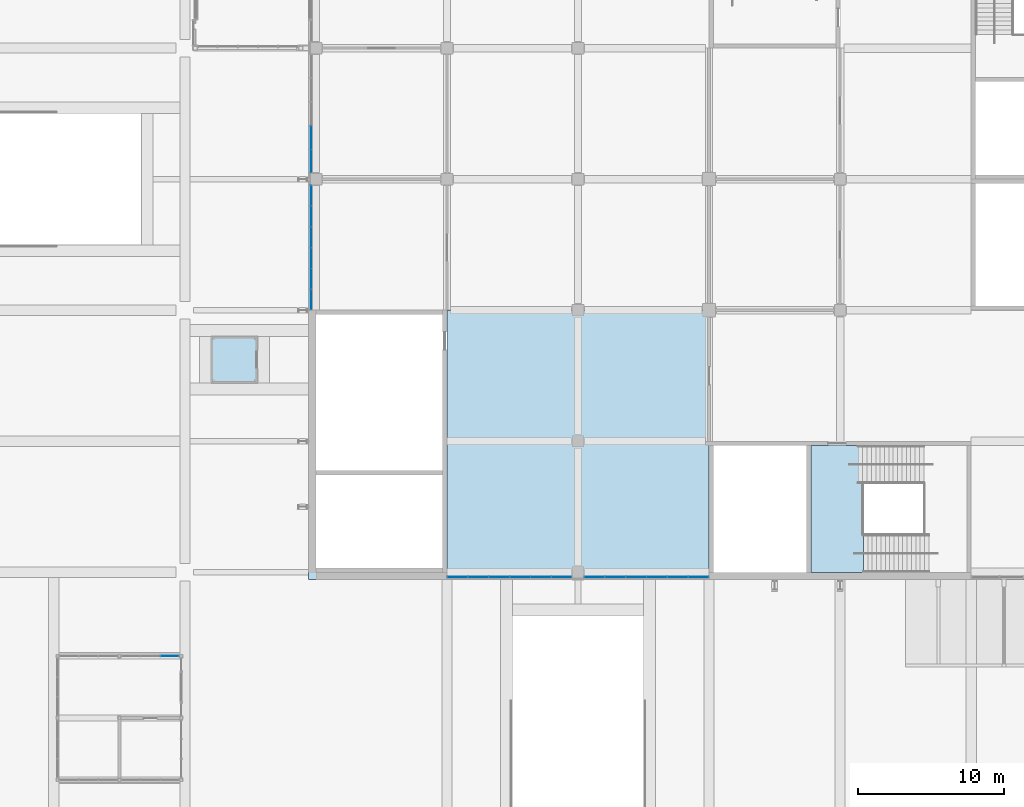
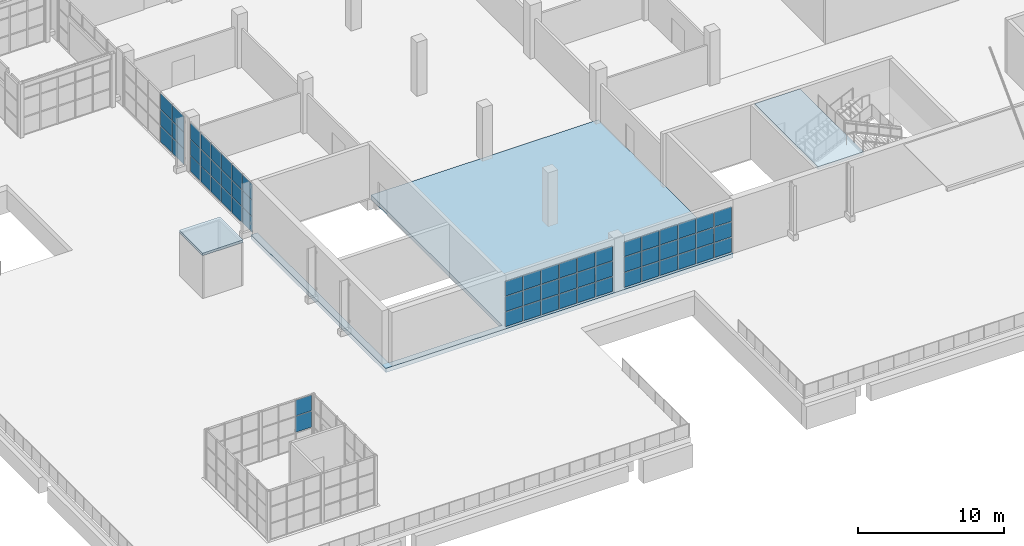
# One storey, part 75 of 168: 62 plates, 3 slabs, 6 elements without a shape of their own.
"""IFC4 building model written with IfcOpenShell, lengths in metres."""

from ifc_helpers import new_model, si_unit, direction, frame, origin, origin_2d, place, context, subcontext, project, spatial, polyline, rectangle, outline, extrude, material, layer, layer_set, type_object, element, aggregate, save


model = new_model("IFC4")

# Units and contexts
model_context = context("Model", 3, precision=1e-05, world=origin(), true_north=direction((0.0, 1.0)))
body_context = subcontext(model_context, "Body", "Model", "MODEL_VIEW")
ifc_project = project(units=[si_unit("LENGTHUNIT", "METRE"), si_unit("AREAUNIT", "SQUARE_METRE"), si_unit("VOLUMEUNIT", "CUBIC_METRE"), si_unit("PLANEANGLEUNIT", "RADIAN"), si_unit("MASSUNIT", "GRAM", prefix="KILO")], contexts=[model_context])

# Site, building, storey
site_placement = place(None, origin())
site = spatial("IfcSite", under=ifc_project, at=site_placement, CompositionType="ELEMENT")
building_placement = place(site_placement, origin())
building = spatial("IfcBuilding", under=site, at=building_placement, Name="Silverbay Arena", CompositionType="ELEMENT")
storey_placement = place(building_placement, frame((0.0, 0.0, 7.0)))
storey = spatial("IfcBuildingStorey", under=building, at=storey_placement, Name="L01", CompositionType="ELEMENT", Elevation=7.0)

# Curtain wall, plates
ifc_material_1 = material(Name="Aluminium framed curtain wall", Category="aluminium")
curtain_wall_type_1 = type_object("IfcCurtainWallType", Name="Curtain wall 4050 x 4150", PredefinedType="NOTDEFINED", material=ifc_material_1)
curtain_wall_1_placement = place(storey_placement, origin())
curtain_wall_1 = element("IfcCurtainWall", 1, at=curtain_wall_1_placement, inside=storey, type_object=curtain_wall_type_1, Name="Pavilion north curtain wall 2", PredefinedType="NOTDEFINED")
ifc_material_2 = material(Name="Laminated glass", Category="glass")
ifc_layer_1 = layer(ifc_material_2, 0.02392578125)
ifc_layer_set_1 = layer_set([ifc_layer_1], Name="Laminated glass")
plate_type_1 = type_object("IfcPlateType", Name="Glass panel 24", PredefinedType="CURTAIN_PANEL", material=ifc_layer_set_1)
plate_1_placement = place(storey_placement, frame((16.9599609375, 12.25, 1.408203125), z_axis=(0.0, 0.0, 1.0), x_axis=(1.0, 0.0, 0.0)))
plate_1 = element("IfcPlate", 2, at=plate_1_placement, type_object=plate_type_1, Name="CW21 panel 3.2", PredefinedType="CURTAIN_PANEL", context=body_context, shape_type="SweptSolid", body=[
    extrude(rectangle(XDim=1.260009765625, YDim=0.02392578125, at=origin_2d()), origin(), (0.0, 0.0, 1.0), 1.333251953125),
])
plate_2_placement = place(storey_placement, frame((16.9599609375, 12.25, 2.79150390625), z_axis=(0.0, 0.0, 1.0), x_axis=(1.0, 0.0, 0.0)))
plate_2 = element("IfcPlate", 3, at=plate_2_placement, type_object=plate_type_1, Name="CW21 panel 3.3", PredefinedType="CURTAIN_PANEL", context=body_context, shape_type="SweptSolid", body=[
    extrude(rectangle(XDim=1.260009765625, YDim=0.02392578125, at=origin_2d()), origin(), (0.0, 0.0, 1.0), 1.308349609375),
])
aggregate(curtain_wall_1, [plate_1, plate_2])

ifc_material_3 = material(Name="Aluminium framed curtain wall", Category="aluminium")
curtain_wall_type_2 = type_object("IfcCurtainWallType", Name="Curtain wall 8600 x 3900", PredefinedType="NOTDEFINED", material=ifc_material_3)
curtain_wall_2_placement = place(storey_placement, origin())
curtain_wall_2 = element("IfcCurtainWall", 4, at=curtain_wall_2_placement, inside=storey, type_object=curtain_wall_type_2, Name="South curtain wall L01 bay 2", PredefinedType="NOTDEFINED")
ifc_material_4 = material(Name="Laminated glass", Category="glass")
ifc_layer_2 = layer(ifc_material_4, 0.028076171875)
ifc_layer_set_2 = layer_set([ifc_layer_2], Name="Laminated glass")
plate_type_2 = type_object("IfcPlateType", Name="Glass panel 28", PredefinedType="CURTAIN_PANEL", material=ifc_layer_set_2)
plate_3_placement = place(storey_placement, frame((36.731689453125, 17.669921875, 0.050048828125), z_axis=(0.0, 0.0, 1.0), x_axis=(1.0, 0.0, 0.0)))
plate_3 = element("IfcPlate", 5, at=plate_3_placement, type_object=plate_type_2, Name="CW1 panel 1.1", PredefinedType="CURTAIN_PANEL", context=body_context, shape_type="SweptSolid", body=[
    extrude(rectangle(XDim=1.34326171875, YDim=0.028076171875, at=origin_2d()), origin(), (0.0, 0.0, 1.0), 1.22509765625),
])
plate_4_placement = place(storey_placement, frame((36.731689453125, 17.669921875, 1.324951171875), z_axis=(0.0, 0.0, 1.0), x_axis=(1.0, 0.0, 0.0)))
plate_4 = element("IfcPlate", 6, at=plate_4_placement, type_object=plate_type_2, Name="CW1 panel 1.2", PredefinedType="CURTAIN_PANEL", context=body_context, shape_type="SweptSolid", body=[
    extrude(rectangle(XDim=1.34326171875, YDim=0.028076171875, at=origin_2d()), origin(), (0.0, 0.0, 1.0), 1.25),
])
plate_5_placement = place(storey_placement, frame((36.731689453125, 17.669921875, 2.625), z_axis=(0.0, 0.0, 1.0), x_axis=(1.0, 0.0, 0.0)))
plate_5 = element("IfcPlate", 7, at=plate_5_placement, type_object=plate_type_2, Name="CW1 panel 1.3", PredefinedType="CURTAIN_PANEL", context=body_context, shape_type="SweptSolid", body=[
    extrude(rectangle(XDim=1.34326171875, YDim=0.028076171875, at=origin_2d()), origin(), (0.0, 0.0, 1.0), 1.22509765625),
])
plate_6_placement = place(storey_placement, frame((38.14990234375, 17.669921875, 0.050048828125), z_axis=(0.0, 0.0, 1.0), x_axis=(1.0, 0.0, 0.0)))
plate_6 = element("IfcPlate", 8, at=plate_6_placement, type_object=plate_type_2, Name="CW1 panel 2.1", PredefinedType="CURTAIN_PANEL", context=body_context, shape_type="SweptSolid", body=[
    extrude(rectangle(XDim=1.373291015625, YDim=0.028076171875, at=origin_2d()), origin(), (0.0, 0.0, 1.0), 1.22509765625),
])
plate_7_placement = place(storey_placement, frame((38.14990234375, 17.669921875, 1.324951171875), z_axis=(0.0, 0.0, 1.0), x_axis=(1.0, 0.0, 0.0)))
plate_7 = element("IfcPlate", 9, at=plate_7_placement, type_object=plate_type_2, Name="CW1 panel 2.2", PredefinedType="CURTAIN_PANEL", context=body_context, shape_type="SweptSolid", body=[
    extrude(rectangle(XDim=1.373291015625, YDim=0.028076171875, at=origin_2d()), origin(), (0.0, 0.0, 1.0), 1.25),
])
plate_8_placement = place(storey_placement, frame((38.14990234375, 17.669921875, 2.625), z_axis=(0.0, 0.0, 1.0), x_axis=(1.0, 0.0, 0.0)))
plate_8 = element("IfcPlate", 10, at=plate_8_placement, type_object=plate_type_2, Name="CW1 panel 2.3", PredefinedType="CURTAIN_PANEL", context=body_context, shape_type="SweptSolid", body=[
    extrude(rectangle(XDim=1.373291015625, YDim=0.028076171875, at=origin_2d()), origin(), (0.0, 0.0, 1.0), 1.22509765625),
])
plate_9_placement = place(storey_placement, frame((39.583251953125, 17.669921875, 0.050048828125), z_axis=(0.0, 0.0, 1.0), x_axis=(1.0, 0.0, 0.0)))
plate_9 = element("IfcPlate", 11, at=plate_9_placement, type_object=plate_type_2, Name="CW1 panel 3.1", PredefinedType="CURTAIN_PANEL", context=body_context, shape_type="SweptSolid", body=[
    extrude(rectangle(XDim=1.373291015625, YDim=0.028076171875, at=origin_2d()), origin(), (0.0, 0.0, 1.0), 1.22509765625),
])
plate_10_placement = place(storey_placement, frame((39.583251953125, 17.669921875, 1.324951171875), z_axis=(0.0, 0.0, 1.0), x_axis=(1.0, 0.0, 0.0)))
plate_10 = element("IfcPlate", 12, at=plate_10_placement, type_object=plate_type_2, Name="CW1 panel 3.2", PredefinedType="CURTAIN_PANEL", context=body_context, shape_type="SweptSolid", body=[
    extrude(rectangle(XDim=1.373291015625, YDim=0.028076171875, at=origin_2d()), origin(), (0.0, 0.0, 1.0), 1.25),
])
plate_11_placement = place(storey_placement, frame((39.583251953125, 17.669921875, 2.625), z_axis=(0.0, 0.0, 1.0), x_axis=(1.0, 0.0, 0.0)))
plate_11 = element("IfcPlate", 13, at=plate_11_placement, type_object=plate_type_2, Name="CW1 panel 3.3", PredefinedType="CURTAIN_PANEL", context=body_context, shape_type="SweptSolid", body=[
    extrude(rectangle(XDim=1.373291015625, YDim=0.028076171875, at=origin_2d()), origin(), (0.0, 0.0, 1.0), 1.22509765625),
])
plate_12_placement = place(storey_placement, frame((41.0166015625, 17.669921875, 0.050048828125), z_axis=(0.0, 0.0, 1.0), x_axis=(1.0, 0.0, 0.0)))
plate_12 = element("IfcPlate", 14, at=plate_12_placement, type_object=plate_type_2, Name="CW1 panel 4.1", PredefinedType="CURTAIN_PANEL", context=body_context, shape_type="SweptSolid", body=[
    extrude(rectangle(XDim=1.373291015625, YDim=0.028076171875, at=origin_2d()), origin(), (0.0, 0.0, 1.0), 1.22509765625),
])
plate_13_placement = place(storey_placement, frame((41.0166015625, 17.669921875, 1.324951171875), z_axis=(0.0, 0.0, 1.0), x_axis=(1.0, 0.0, 0.0)))
plate_13 = element("IfcPlate", 15, at=plate_13_placement, type_object=plate_type_2, Name="CW1 panel 4.2", PredefinedType="CURTAIN_PANEL", context=body_context, shape_type="SweptSolid", body=[
    extrude(rectangle(XDim=1.373291015625, YDim=0.028076171875, at=origin_2d()), origin(), (0.0, 0.0, 1.0), 1.25),
])
plate_14_placement = place(storey_placement, frame((41.0166015625, 17.669921875, 2.625), z_axis=(0.0, 0.0, 1.0), x_axis=(1.0, 0.0, 0.0)))
plate_14 = element("IfcPlate", 16, at=plate_14_placement, type_object=plate_type_2, Name="CW1 panel 4.3", PredefinedType="CURTAIN_PANEL", context=body_context, shape_type="SweptSolid", body=[
    extrude(rectangle(XDim=1.373291015625, YDim=0.028076171875, at=origin_2d()), origin(), (0.0, 0.0, 1.0), 1.22509765625),
])
plate_15_placement = place(storey_placement, frame((42.449951171875, 17.669921875, 0.050048828125), z_axis=(0.0, 0.0, 1.0), x_axis=(1.0, 0.0, 0.0)))
plate_15 = element("IfcPlate", 17, at=plate_15_placement, type_object=plate_type_2, Name="CW1 panel 5.1", PredefinedType="CURTAIN_PANEL", context=body_context, shape_type="SweptSolid", body=[
    extrude(rectangle(XDim=1.373291015625, YDim=0.028076171875, at=origin_2d()), origin(), (0.0, 0.0, 1.0), 1.22509765625),
])
plate_16_placement = place(storey_placement, frame((42.449951171875, 17.669921875, 1.324951171875), z_axis=(0.0, 0.0, 1.0), x_axis=(1.0, 0.0, 0.0)))
plate_16 = element("IfcPlate", 18, at=plate_16_placement, type_object=plate_type_2, Name="CW1 panel 5.2", PredefinedType="CURTAIN_PANEL", context=body_context, shape_type="SweptSolid", body=[
    extrude(rectangle(XDim=1.373291015625, YDim=0.028076171875, at=origin_2d()), origin(), (0.0, 0.0, 1.0), 1.25),
])
plate_17_placement = place(storey_placement, frame((42.449951171875, 17.669921875, 2.625), z_axis=(0.0, 0.0, 1.0), x_axis=(1.0, 0.0, 0.0)))
plate_17 = element("IfcPlate", 19, at=plate_17_placement, type_object=plate_type_2, Name="CW1 panel 5.3", PredefinedType="CURTAIN_PANEL", context=body_context, shape_type="SweptSolid", body=[
    extrude(rectangle(XDim=1.373291015625, YDim=0.028076171875, at=origin_2d()), origin(), (0.0, 0.0, 1.0), 1.22509765625),
])
plate_18_placement = place(storey_placement, frame((43.868408203125, 17.669921875, 0.050048828125), z_axis=(0.0, 0.0, 1.0), x_axis=(1.0, 0.0, 0.0)))
plate_18 = element("IfcPlate", 20, at=plate_18_placement, type_object=plate_type_2, Name="CW1 panel 6.1", PredefinedType="CURTAIN_PANEL", context=body_context, shape_type="SweptSolid", body=[
    extrude(rectangle(XDim=1.34326171875, YDim=0.028076171875, at=origin_2d()), origin(), (0.0, 0.0, 1.0), 1.22509765625),
])
plate_19_placement = place(storey_placement, frame((43.868408203125, 17.669921875, 1.324951171875), z_axis=(0.0, 0.0, 1.0), x_axis=(1.0, 0.0, 0.0)))
plate_19 = element("IfcPlate", 21, at=plate_19_placement, type_object=plate_type_2, Name="CW1 panel 6.2", PredefinedType="CURTAIN_PANEL", context=body_context, shape_type="SweptSolid", body=[
    extrude(rectangle(XDim=1.34326171875, YDim=0.028076171875, at=origin_2d()), origin(), (0.0, 0.0, 1.0), 1.25),
])
plate_20_placement = place(storey_placement, frame((43.868408203125, 17.669921875, 2.625), z_axis=(0.0, 0.0, 1.0), x_axis=(1.0, 0.0, 0.0)))
plate_20 = element("IfcPlate", 22, at=plate_20_placement, type_object=plate_type_2, Name="CW1 panel 6.3", PredefinedType="CURTAIN_PANEL", context=body_context, shape_type="SweptSolid", body=[
    extrude(rectangle(XDim=1.34326171875, YDim=0.028076171875, at=origin_2d()), origin(), (0.0, 0.0, 1.0), 1.22509765625),
])
aggregate(curtain_wall_2, [plate_3, plate_4, plate_5, plate_6, plate_7, plate_8, plate_9, plate_10, plate_11, plate_12, plate_13, plate_14, plate_15, plate_16, plate_17, plate_18, plate_19, plate_20])

curtain_wall_3_placement = place(storey_placement, origin())
curtain_wall_3 = element("IfcCurtainWall", 23, at=curtain_wall_3_placement, inside=storey, type_object=curtain_wall_type_2, Name="South curtain wall L01 bay 3", PredefinedType="NOTDEFINED")
plate_21_placement = place(storey_placement, frame((46.131591796875, 17.669921875, 0.050048828125), z_axis=(0.0, 0.0, 1.0), x_axis=(1.0, 0.0, 0.0)))
plate_21 = element("IfcPlate", 24, at=plate_21_placement, type_object=plate_type_2, Name="CW1 panel 1.1", PredefinedType="CURTAIN_PANEL", context=body_context, shape_type="SweptSolid", body=[
    extrude(rectangle(XDim=1.34326171875, YDim=0.028076171875, at=origin_2d()), origin(), (0.0, 0.0, 1.0), 1.22509765625),
])
plate_22_placement = place(storey_placement, frame((46.131591796875, 17.669921875, 1.324951171875), z_axis=(0.0, 0.0, 1.0), x_axis=(1.0, 0.0, 0.0)))
plate_22 = element("IfcPlate", 25, at=plate_22_placement, type_object=plate_type_2, Name="CW1 panel 1.2", PredefinedType="CURTAIN_PANEL", context=body_context, shape_type="SweptSolid", body=[
    extrude(rectangle(XDim=1.34326171875, YDim=0.028076171875, at=origin_2d()), origin(), (0.0, 0.0, 1.0), 1.25),
])
plate_23_placement = place(storey_placement, frame((46.131591796875, 17.669921875, 2.625), z_axis=(0.0, 0.0, 1.0), x_axis=(1.0, 0.0, 0.0)))
plate_23 = element("IfcPlate", 26, at=plate_23_placement, type_object=plate_type_2, Name="CW1 panel 1.3", PredefinedType="CURTAIN_PANEL", context=body_context, shape_type="SweptSolid", body=[
    extrude(rectangle(XDim=1.34326171875, YDim=0.028076171875, at=origin_2d()), origin(), (0.0, 0.0, 1.0), 1.22509765625),
])
plate_24_placement = place(storey_placement, frame((47.550048828125, 17.669921875, 0.050048828125), z_axis=(0.0, 0.0, 1.0), x_axis=(1.0, 0.0, 0.0)))
plate_24 = element("IfcPlate", 27, at=plate_24_placement, type_object=plate_type_2, Name="CW1 panel 2.1", PredefinedType="CURTAIN_PANEL", context=body_context, shape_type="SweptSolid", body=[
    extrude(rectangle(XDim=1.373291015625, YDim=0.028076171875, at=origin_2d()), origin(), (0.0, 0.0, 1.0), 1.22509765625),
])
plate_25_placement = place(storey_placement, frame((47.550048828125, 17.669921875, 1.324951171875), z_axis=(0.0, 0.0, 1.0), x_axis=(1.0, 0.0, 0.0)))
plate_25 = element("IfcPlate", 28, at=plate_25_placement, type_object=plate_type_2, Name="CW1 panel 2.2", PredefinedType="CURTAIN_PANEL", context=body_context, shape_type="SweptSolid", body=[
    extrude(rectangle(XDim=1.373291015625, YDim=0.028076171875, at=origin_2d()), origin(), (0.0, 0.0, 1.0), 1.25),
])
plate_26_placement = place(storey_placement, frame((47.550048828125, 17.669921875, 2.625), z_axis=(0.0, 0.0, 1.0), x_axis=(1.0, 0.0, 0.0)))
plate_26 = element("IfcPlate", 29, at=plate_26_placement, type_object=plate_type_2, Name="CW1 panel 2.3", PredefinedType="CURTAIN_PANEL", context=body_context, shape_type="SweptSolid", body=[
    extrude(rectangle(XDim=1.373291015625, YDim=0.028076171875, at=origin_2d()), origin(), (0.0, 0.0, 1.0), 1.22509765625),
])
plate_27_placement = place(storey_placement, frame((48.9833984375, 17.669921875, 0.050048828125), z_axis=(0.0, 0.0, 1.0), x_axis=(1.0, 0.0, 0.0)))
plate_27 = element("IfcPlate", 30, at=plate_27_placement, type_object=plate_type_2, Name="CW1 panel 3.1", PredefinedType="CURTAIN_PANEL", context=body_context, shape_type="SweptSolid", body=[
    extrude(rectangle(XDim=1.373291015625, YDim=0.028076171875, at=origin_2d()), origin(), (0.0, 0.0, 1.0), 1.22509765625),
])
plate_28_placement = place(storey_placement, frame((48.9833984375, 17.669921875, 1.324951171875), z_axis=(0.0, 0.0, 1.0), x_axis=(1.0, 0.0, 0.0)))
plate_28 = element("IfcPlate", 31, at=plate_28_placement, type_object=plate_type_2, Name="CW1 panel 3.2", PredefinedType="CURTAIN_PANEL", context=body_context, shape_type="SweptSolid", body=[
    extrude(rectangle(XDim=1.373291015625, YDim=0.028076171875, at=origin_2d()), origin(), (0.0, 0.0, 1.0), 1.25),
])
plate_29_placement = place(storey_placement, frame((48.9833984375, 17.669921875, 2.625), z_axis=(0.0, 0.0, 1.0), x_axis=(1.0, 0.0, 0.0)))
plate_29 = element("IfcPlate", 32, at=plate_29_placement, type_object=plate_type_2, Name="CW1 panel 3.3", PredefinedType="CURTAIN_PANEL", context=body_context, shape_type="SweptSolid", body=[
    extrude(rectangle(XDim=1.373291015625, YDim=0.028076171875, at=origin_2d()), origin(), (0.0, 0.0, 1.0), 1.22509765625),
])
plate_30_placement = place(storey_placement, frame((50.416748046875, 17.669921875, 0.050048828125), z_axis=(0.0, 0.0, 1.0), x_axis=(1.0, 0.0, 0.0)))
plate_30 = element("IfcPlate", 33, at=plate_30_placement, type_object=plate_type_2, Name="CW1 panel 4.1", PredefinedType="CURTAIN_PANEL", context=body_context, shape_type="SweptSolid", body=[
    extrude(rectangle(XDim=1.373291015625, YDim=0.028076171875, at=origin_2d()), origin(), (0.0, 0.0, 1.0), 1.22509765625),
])
plate_31_placement = place(storey_placement, frame((50.416748046875, 17.669921875, 1.324951171875), z_axis=(0.0, 0.0, 1.0), x_axis=(1.0, 0.0, 0.0)))
plate_31 = element("IfcPlate", 34, at=plate_31_placement, type_object=plate_type_2, Name="CW1 panel 4.2", PredefinedType="CURTAIN_PANEL", context=body_context, shape_type="SweptSolid", body=[
    extrude(rectangle(XDim=1.373291015625, YDim=0.028076171875, at=origin_2d()), origin(), (0.0, 0.0, 1.0), 1.25),
])
plate_32_placement = place(storey_placement, frame((50.416748046875, 17.669921875, 2.625), z_axis=(0.0, 0.0, 1.0), x_axis=(1.0, 0.0, 0.0)))
plate_32 = element("IfcPlate", 35, at=plate_32_placement, type_object=plate_type_2, Name="CW1 panel 4.3", PredefinedType="CURTAIN_PANEL", context=body_context, shape_type="SweptSolid", body=[
    extrude(rectangle(XDim=1.373291015625, YDim=0.028076171875, at=origin_2d()), origin(), (0.0, 0.0, 1.0), 1.22509765625),
])
plate_33_placement = place(storey_placement, frame((51.85009765625, 17.669921875, 0.050048828125), z_axis=(0.0, 0.0, 1.0), x_axis=(1.0, 0.0, 0.0)))
plate_33 = element("IfcPlate", 36, at=plate_33_placement, type_object=plate_type_2, Name="CW1 panel 5.1", PredefinedType="CURTAIN_PANEL", context=body_context, shape_type="SweptSolid", body=[
    extrude(rectangle(XDim=1.373291015625, YDim=0.028076171875, at=origin_2d()), origin(), (0.0, 0.0, 1.0), 1.22509765625),
])
plate_34_placement = place(storey_placement, frame((51.85009765625, 17.669921875, 1.324951171875), z_axis=(0.0, 0.0, 1.0), x_axis=(1.0, 0.0, 0.0)))
plate_34 = element("IfcPlate", 37, at=plate_34_placement, type_object=plate_type_2, Name="CW1 panel 5.2", PredefinedType="CURTAIN_PANEL", context=body_context, shape_type="SweptSolid", body=[
    extrude(rectangle(XDim=1.373291015625, YDim=0.028076171875, at=origin_2d()), origin(), (0.0, 0.0, 1.0), 1.25),
])
plate_35_placement = place(storey_placement, frame((51.85009765625, 17.669921875, 2.625), z_axis=(0.0, 0.0, 1.0), x_axis=(1.0, 0.0, 0.0)))
plate_35 = element("IfcPlate", 38, at=plate_35_placement, type_object=plate_type_2, Name="CW1 panel 5.3", PredefinedType="CURTAIN_PANEL", context=body_context, shape_type="SweptSolid", body=[
    extrude(rectangle(XDim=1.373291015625, YDim=0.028076171875, at=origin_2d()), origin(), (0.0, 0.0, 1.0), 1.22509765625),
])
plate_36_placement = place(storey_placement, frame((53.268310546875, 17.669921875, 0.050048828125), z_axis=(0.0, 0.0, 1.0), x_axis=(1.0, 0.0, 0.0)))
plate_36 = element("IfcPlate", 39, at=plate_36_placement, type_object=plate_type_2, Name="CW1 panel 6.1", PredefinedType="CURTAIN_PANEL", context=body_context, shape_type="SweptSolid", body=[
    extrude(rectangle(XDim=1.34326171875, YDim=0.028076171875, at=origin_2d()), origin(), (0.0, 0.0, 1.0), 1.22509765625),
])
plate_37_placement = place(storey_placement, frame((53.268310546875, 17.669921875, 1.324951171875), z_axis=(0.0, 0.0, 1.0), x_axis=(1.0, 0.0, 0.0)))
plate_37 = element("IfcPlate", 40, at=plate_37_placement, type_object=plate_type_2, Name="CW1 panel 6.2", PredefinedType="CURTAIN_PANEL", context=body_context, shape_type="SweptSolid", body=[
    extrude(rectangle(XDim=1.34326171875, YDim=0.028076171875, at=origin_2d()), origin(), (0.0, 0.0, 1.0), 1.25),
])
plate_38_placement = place(storey_placement, frame((53.268310546875, 17.669921875, 2.625), z_axis=(0.0, 0.0, 1.0), x_axis=(1.0, 0.0, 0.0)))
plate_38 = element("IfcPlate", 41, at=plate_38_placement, type_object=plate_type_2, Name="CW1 panel 6.3", PredefinedType="CURTAIN_PANEL", context=body_context, shape_type="SweptSolid", body=[
    extrude(rectangle(XDim=1.34326171875, YDim=0.028076171875, at=origin_2d()), origin(), (0.0, 0.0, 1.0), 1.22509765625),
])
aggregate(curtain_wall_3, [plate_21, plate_22, plate_23, plate_24, plate_25, plate_26, plate_27, plate_28, plate_29, plate_30, plate_31, plate_32, plate_33, plate_34, plate_35, plate_36, plate_37, plate_38])

ifc_material_5 = material(Name="Aluminium framed curtain wall", Category="aluminium")
curtain_wall_type_3 = type_object("IfcCurtainWallType", Name="Curtain wall 8600 x 4150", PredefinedType="NOTDEFINED", material=ifc_material_5)
curtain_wall_4_placement = place(storey_placement, origin())
curtain_wall_4 = element("IfcCurtainWall", 42, at=curtain_wall_4_placement, inside=storey, type_object=curtain_wall_type_3, Name="West curtain wall L01 bay 3", PredefinedType="NOTDEFINED")
plate_39_placement = place(storey_placement, frame((26.669921875, 43.868408203125, 0.0498046875), z_axis=(0.0, 0.0, 1.0), x_axis=(0.0, -1.0, 0.0)))
plate_39 = element("IfcPlate", 43, at=plate_39_placement, type_object=plate_type_2, Name="CW6 panel 1.1", PredefinedType="CURTAIN_PANEL", context=body_context, shape_type="SweptSolid", body=[
    extrude(rectangle(XDim=1.34326171875, YDim=0.028076171875, at=origin_2d()), origin(), (0.0, 0.0, 1.0), 1.308349609375),
])
plate_40_placement = place(storey_placement, frame((26.669921875, 43.868408203125, 1.408203125), z_axis=(0.0, 0.0, 1.0), x_axis=(0.0, -1.0, 0.0)))
plate_40 = element("IfcPlate", 44, at=plate_40_placement, type_object=plate_type_2, Name="CW6 panel 1.2", PredefinedType="CURTAIN_PANEL", context=body_context, shape_type="SweptSolid", body=[
    extrude(rectangle(XDim=1.34326171875, YDim=0.028076171875, at=origin_2d()), origin(), (0.0, 0.0, 1.0), 1.333251953125),
])
plate_41_placement = place(storey_placement, frame((26.669921875, 43.868408203125, 2.79150390625), z_axis=(0.0, 0.0, 1.0), x_axis=(0.0, -1.0, 0.0)))
plate_41 = element("IfcPlate", 45, at=plate_41_placement, type_object=plate_type_2, Name="CW6 panel 1.3", PredefinedType="CURTAIN_PANEL", context=body_context, shape_type="SweptSolid", body=[
    extrude(rectangle(XDim=1.34326171875, YDim=0.028076171875, at=origin_2d()), origin(), (0.0, 0.0, 1.0), 1.308349609375),
])
plate_42_placement = place(storey_placement, frame((26.669921875, 42.449951171875, 0.0498046875), z_axis=(0.0, 0.0, 1.0), x_axis=(0.0, -1.0, 0.0)))
plate_42 = element("IfcPlate", 46, at=plate_42_placement, type_object=plate_type_2, Name="CW6 panel 2.1", PredefinedType="CURTAIN_PANEL", context=body_context, shape_type="SweptSolid", body=[
    extrude(rectangle(XDim=1.373291015625, YDim=0.028076171875, at=origin_2d()), origin(), (0.0, 0.0, 1.0), 1.308349609375),
])
plate_43_placement = place(storey_placement, frame((26.669921875, 42.449951171875, 1.408203125), z_axis=(0.0, 0.0, 1.0), x_axis=(0.0, -1.0, 0.0)))
plate_43 = element("IfcPlate", 47, at=plate_43_placement, type_object=plate_type_2, Name="CW6 panel 2.2", PredefinedType="CURTAIN_PANEL", context=body_context, shape_type="SweptSolid", body=[
    extrude(rectangle(XDim=1.373291015625, YDim=0.028076171875, at=origin_2d()), origin(), (0.0, 0.0, 1.0), 1.333251953125),
])
plate_44_placement = place(storey_placement, frame((26.669921875, 42.449951171875, 2.79150390625), z_axis=(0.0, 0.0, 1.0), x_axis=(0.0, -1.0, 0.0)))
plate_44 = element("IfcPlate", 48, at=plate_44_placement, type_object=plate_type_2, Name="CW6 panel 2.3", PredefinedType="CURTAIN_PANEL", context=body_context, shape_type="SweptSolid", body=[
    extrude(rectangle(XDim=1.373291015625, YDim=0.028076171875, at=origin_2d()), origin(), (0.0, 0.0, 1.0), 1.308349609375),
])
plate_45_placement = place(storey_placement, frame((26.669921875, 41.0166015625, 0.0498046875), z_axis=(0.0, 0.0, 1.0), x_axis=(0.0, -1.0, 0.0)))
plate_45 = element("IfcPlate", 49, at=plate_45_placement, type_object=plate_type_2, Name="CW6 panel 3.1", PredefinedType="CURTAIN_PANEL", context=body_context, shape_type="SweptSolid", body=[
    extrude(rectangle(XDim=1.373291015625, YDim=0.028076171875, at=origin_2d()), origin(), (0.0, 0.0, 1.0), 1.308349609375),
])
plate_46_placement = place(storey_placement, frame((26.669921875, 41.0166015625, 1.408203125), z_axis=(0.0, 0.0, 1.0), x_axis=(0.0, -1.0, 0.0)))
plate_46 = element("IfcPlate", 50, at=plate_46_placement, type_object=plate_type_2, Name="CW6 panel 3.2", PredefinedType="CURTAIN_PANEL", context=body_context, shape_type="SweptSolid", body=[
    extrude(rectangle(XDim=1.373291015625, YDim=0.028076171875, at=origin_2d()), origin(), (0.0, 0.0, 1.0), 1.333251953125),
])
plate_47_placement = place(storey_placement, frame((26.669921875, 41.0166015625, 2.79150390625), z_axis=(0.0, 0.0, 1.0), x_axis=(0.0, -1.0, 0.0)))
plate_47 = element("IfcPlate", 51, at=plate_47_placement, type_object=plate_type_2, Name="CW6 panel 3.3", PredefinedType="CURTAIN_PANEL", context=body_context, shape_type="SweptSolid", body=[
    extrude(rectangle(XDim=1.373291015625, YDim=0.028076171875, at=origin_2d()), origin(), (0.0, 0.0, 1.0), 1.308349609375),
])
plate_48_placement = place(storey_placement, frame((26.669921875, 39.583251953125, 0.0498046875), z_axis=(0.0, 0.0, 1.0), x_axis=(0.0, -1.0, 0.0)))
plate_48 = element("IfcPlate", 52, at=plate_48_placement, type_object=plate_type_2, Name="CW6 panel 4.1", PredefinedType="CURTAIN_PANEL", context=body_context, shape_type="SweptSolid", body=[
    extrude(rectangle(XDim=1.373291015625, YDim=0.028076171875, at=origin_2d()), origin(), (0.0, 0.0, 1.0), 1.308349609375),
])
plate_49_placement = place(storey_placement, frame((26.669921875, 39.583251953125, 1.408203125), z_axis=(0.0, 0.0, 1.0), x_axis=(0.0, -1.0, 0.0)))
plate_49 = element("IfcPlate", 53, at=plate_49_placement, type_object=plate_type_2, Name="CW6 panel 4.2", PredefinedType="CURTAIN_PANEL", context=body_context, shape_type="SweptSolid", body=[
    extrude(rectangle(XDim=1.373291015625, YDim=0.028076171875, at=origin_2d()), origin(), (0.0, 0.0, 1.0), 1.333251953125),
])
plate_50_placement = place(storey_placement, frame((26.669921875, 39.583251953125, 2.79150390625), z_axis=(0.0, 0.0, 1.0), x_axis=(0.0, -1.0, 0.0)))
plate_50 = element("IfcPlate", 54, at=plate_50_placement, type_object=plate_type_2, Name="CW6 panel 4.3", PredefinedType="CURTAIN_PANEL", context=body_context, shape_type="SweptSolid", body=[
    extrude(rectangle(XDim=1.373291015625, YDim=0.028076171875, at=origin_2d()), origin(), (0.0, 0.0, 1.0), 1.308349609375),
])
plate_51_placement = place(storey_placement, frame((26.669921875, 38.14990234375, 0.0498046875), z_axis=(0.0, 0.0, 1.0), x_axis=(0.0, -1.0, 0.0)))
plate_51 = element("IfcPlate", 55, at=plate_51_placement, type_object=plate_type_2, Name="CW6 panel 5.1", PredefinedType="CURTAIN_PANEL", context=body_context, shape_type="SweptSolid", body=[
    extrude(rectangle(XDim=1.373291015625, YDim=0.028076171875, at=origin_2d()), origin(), (0.0, 0.0, 1.0), 1.308349609375),
])
plate_52_placement = place(storey_placement, frame((26.669921875, 38.14990234375, 1.408203125), z_axis=(0.0, 0.0, 1.0), x_axis=(0.0, -1.0, 0.0)))
plate_52 = element("IfcPlate", 56, at=plate_52_placement, type_object=plate_type_2, Name="CW6 panel 5.2", PredefinedType="CURTAIN_PANEL", context=body_context, shape_type="SweptSolid", body=[
    extrude(rectangle(XDim=1.373291015625, YDim=0.028076171875, at=origin_2d()), origin(), (0.0, 0.0, 1.0), 1.333251953125),
])
plate_53_placement = place(storey_placement, frame((26.669921875, 38.14990234375, 2.79150390625), z_axis=(0.0, 0.0, 1.0), x_axis=(0.0, -1.0, 0.0)))
plate_53 = element("IfcPlate", 57, at=plate_53_placement, type_object=plate_type_2, Name="CW6 panel 5.3", PredefinedType="CURTAIN_PANEL", context=body_context, shape_type="SweptSolid", body=[
    extrude(rectangle(XDim=1.373291015625, YDim=0.028076171875, at=origin_2d()), origin(), (0.0, 0.0, 1.0), 1.308349609375),
])
plate_54_placement = place(storey_placement, frame((26.669921875, 36.731689453125, 0.0498046875), z_axis=(0.0, 0.0, 1.0), x_axis=(0.0, -1.0, 0.0)))
plate_54 = element("IfcPlate", 58, at=plate_54_placement, type_object=plate_type_2, Name="CW6 panel 6.1", PredefinedType="CURTAIN_PANEL", context=body_context, shape_type="SweptSolid", body=[
    extrude(rectangle(XDim=1.34326171875, YDim=0.028076171875, at=origin_2d()), origin(), (0.0, 0.0, 1.0), 1.308349609375),
])
plate_55_placement = place(storey_placement, frame((26.669921875, 36.731689453125, 1.408203125), z_axis=(0.0, 0.0, 1.0), x_axis=(0.0, -1.0, 0.0)))
plate_55 = element("IfcPlate", 59, at=plate_55_placement, type_object=plate_type_2, Name="CW6 panel 6.2", PredefinedType="CURTAIN_PANEL", context=body_context, shape_type="SweptSolid", body=[
    extrude(rectangle(XDim=1.34326171875, YDim=0.028076171875, at=origin_2d()), origin(), (0.0, 0.0, 1.0), 1.333251953125),
])
plate_56_placement = place(storey_placement, frame((26.669921875, 36.731689453125, 2.79150390625), z_axis=(0.0, 0.0, 1.0), x_axis=(0.0, -1.0, 0.0)))
plate_56 = element("IfcPlate", 60, at=plate_56_placement, type_object=plate_type_2, Name="CW6 panel 6.3", PredefinedType="CURTAIN_PANEL", context=body_context, shape_type="SweptSolid", body=[
    extrude(rectangle(XDim=1.34326171875, YDim=0.028076171875, at=origin_2d()), origin(), (0.0, 0.0, 1.0), 1.308349609375),
])
aggregate(curtain_wall_4, [plate_39, plate_40, plate_41, plate_42, plate_43, plate_44, plate_45, plate_46, plate_47, plate_48, plate_49, plate_50, plate_51, plate_52, plate_53, plate_54, plate_55, plate_56])

ifc_material_6 = material(Name="Aluminium framed curtain wall", Category="aluminium")
curtain_wall_type_4 = type_object("IfcCurtainWallType", Name="Curtain wall 8200 x 4150", PredefinedType="NOTDEFINED", material=ifc_material_6)
curtain_wall_5_placement = place(storey_placement, origin())
curtain_wall_5 = element("IfcCurtainWall", 61, at=curtain_wall_5_placement, inside=storey, type_object=curtain_wall_type_4, Name="West curtain wall L01 bay 4", PredefinedType="NOTDEFINED")
plate_57_placement = place(storey_placement, frame((26.669921875, 47.860107421875, 0.0498046875), z_axis=(0.0, 0.0, 1.0), x_axis=(0.0, -1.0, 0.0)))
plate_57 = element("IfcPlate", 62, at=plate_57_placement, type_object=plate_type_2, Name="CW7 panel 4.1", PredefinedType="CURTAIN_PANEL", context=body_context, shape_type="SweptSolid", body=[
    extrude(rectangle(XDim=1.580078125, YDim=0.028076171875, at=origin_2d()), origin(), (0.0, 0.0, 1.0), 1.308349609375),
])
plate_58_placement = place(storey_placement, frame((26.669921875, 47.860107421875, 1.408203125), z_axis=(0.0, 0.0, 1.0), x_axis=(0.0, -1.0, 0.0)))
plate_58 = element("IfcPlate", 63, at=plate_58_placement, type_object=plate_type_2, Name="CW7 panel 4.2", PredefinedType="CURTAIN_PANEL", context=body_context, shape_type="SweptSolid", body=[
    extrude(rectangle(XDim=1.580078125, YDim=0.028076171875, at=origin_2d()), origin(), (0.0, 0.0, 1.0), 1.333251953125),
])
plate_59_placement = place(storey_placement, frame((26.669921875, 47.860107421875, 2.79150390625), z_axis=(0.0, 0.0, 1.0), x_axis=(0.0, -1.0, 0.0)))
plate_59 = element("IfcPlate", 64, at=plate_59_placement, type_object=plate_type_2, Name="CW7 panel 4.3", PredefinedType="CURTAIN_PANEL", context=body_context, shape_type="SweptSolid", body=[
    extrude(rectangle(XDim=1.580078125, YDim=0.028076171875, at=origin_2d()), origin(), (0.0, 0.0, 1.0), 1.308349609375),
])
plate_60_placement = place(storey_placement, frame((26.669921875, 46.235107421875, 0.0498046875), z_axis=(0.0, 0.0, 1.0), x_axis=(0.0, -1.0, 0.0)))
plate_60 = element("IfcPlate", 65, at=plate_60_placement, type_object=plate_type_2, Name="CW7 panel 5.1", PredefinedType="CURTAIN_PANEL", context=body_context, shape_type="SweptSolid", body=[
    extrude(rectangle(XDim=1.550048828125, YDim=0.028076171875, at=origin_2d()), origin(), (0.0, 0.0, 1.0), 1.308349609375),
])
plate_61_placement = place(storey_placement, frame((26.669921875, 46.235107421875, 1.408203125), z_axis=(0.0, 0.0, 1.0), x_axis=(0.0, -1.0, 0.0)))
plate_61 = element("IfcPlate", 66, at=plate_61_placement, type_object=plate_type_2, Name="CW7 panel 5.2", PredefinedType="CURTAIN_PANEL", context=body_context, shape_type="SweptSolid", body=[
    extrude(rectangle(XDim=1.550048828125, YDim=0.028076171875, at=origin_2d()), origin(), (0.0, 0.0, 1.0), 1.333251953125),
])
plate_62_placement = place(storey_placement, frame((26.669921875, 46.235107421875, 2.79150390625), z_axis=(0.0, 0.0, 1.0), x_axis=(0.0, -1.0, 0.0)))
plate_62 = element("IfcPlate", 67, at=plate_62_placement, type_object=plate_type_2, Name="CW7 panel 5.3", PredefinedType="CURTAIN_PANEL", context=body_context, shape_type="SweptSolid", body=[
    extrude(rectangle(XDim=1.550048828125, YDim=0.028076171875, at=origin_2d()), origin(), (0.0, 0.0, 1.0), 1.308349609375),
])
aggregate(curtain_wall_5, [plate_57, plate_58, plate_59, plate_60, plate_61, plate_62])

# Slabs
ifc_material_7 = material(Name="Aluminium and glass", Category="aluminium")
ifc_layer_3 = layer(ifc_material_7, 0.199951171875)
ifc_layer_set_3 = layer_set([ifc_layer_3], Name="Aluminium and glass")
slab_type_1 = type_object("IfcSlabType", Name="Lift shaft roof 200", PredefinedType="ROOF", material=ifc_layer_set_3)
slab_1_placement = place(storey_placement, frame((0.0, 0.0, 3.60009765625)))
element("IfcSlab", 68, at=slab_1_placement, inside=storey, type_object=slab_type_1, Name="Lift shaft roof LB-D1", PredefinedType="ROOF", context=body_context, shape_type="SweptSolid", body=[
    extrude(outline(polyline([(19.800048828125, 31.0), (23.0, 31.0), (23.0, 34.199951171875), (19.800048828125, 34.199951171875), (19.800048828125, 31.0)])), origin(), (0.0, 0.0, 1.0), 0.199951171875),
])
ifc_material_8 = material(Name="Concrete Grade C45", Category="concrete")
ifc_layer_4 = layer(ifc_material_8, 0.35009765625)
ifc_layer_set_4 = layer_set([ifc_layer_4], Name="Concrete Grade C45")
slab_type_2 = type_object("IfcSlabType", Name="RC floor slab 350", PredefinedType="FLOOR", material=ifc_layer_set_4)
slab_2_placement = place(storey_placement, frame((0.0, 0.0, -0.35009765625)))
element("IfcSlab", 69, at=slab_2_placement, inside=storey, type_object=slab_type_2, Name="Floor slab L01 unit 1", PredefinedType="FLOOR", context=body_context, shape_type="SweptSolid", body=[
    extrude(outline(polyline([(26.5, 35.97509765625), (27.0, 35.97509765625), (27.0, 18.0), (36.0, 18.0), (36.0, 35.97509765625), (54.0, 35.97509765625), (54.0, 17.5), (26.5, 17.5), (26.5, 35.97509765625)])), origin(), (0.0, 0.0, 1.0), 0.35009765625),
])

# Stair, slab
ifc_material_9 = material(Name="Concrete Grade C45", Category="concrete")
stair_type = type_object("IfcStairType", Name="Stair 2600 wide 32 risers 140.6 x 300", PredefinedType="HALF_TURN_STAIR", material=ifc_material_9)
stair_placement = place(storey_placement, origin())
stair = element("IfcStair", 70, at=stair_placement, inside=storey, type_object=stair_type, Name="Stair ST-S5 L01 to L02", PredefinedType="HALF_TURN_STAIR")
ifc_material_10 = material(Name="Concrete Grade C45", Category="concrete")
ifc_layer_5 = layer(ifc_material_10, 0.25)
ifc_layer_set_5 = layer_set([ifc_layer_5], Name="Concrete Grade C45")
slab_type_3 = type_object("IfcSlabType", Name="Stair landing RC 250", PredefinedType="LANDING", material=ifc_layer_set_5)
slab_3_placement = place(storey_placement, frame((0.0, 0.0, 4.25)))
slab_3 = element("IfcSlab", 71, at=slab_3_placement, type_object=slab_type_3, Name="Stair ST-S5 L01 to L02 landing 2", PredefinedType="LANDING", context=body_context, shape_type="SweptSolid", body=[
    extrude(outline(polyline([(61.0, 26.699951171875), (64.60009765625, 26.699951171875), (64.60009765625, 18.0), (61.0, 18.0), (61.0, 26.699951171875)])), origin(), (0.0, 0.0, 1.0), 0.25),
])
aggregate(stair, [slab_3])

save(model, "model.ifc")
